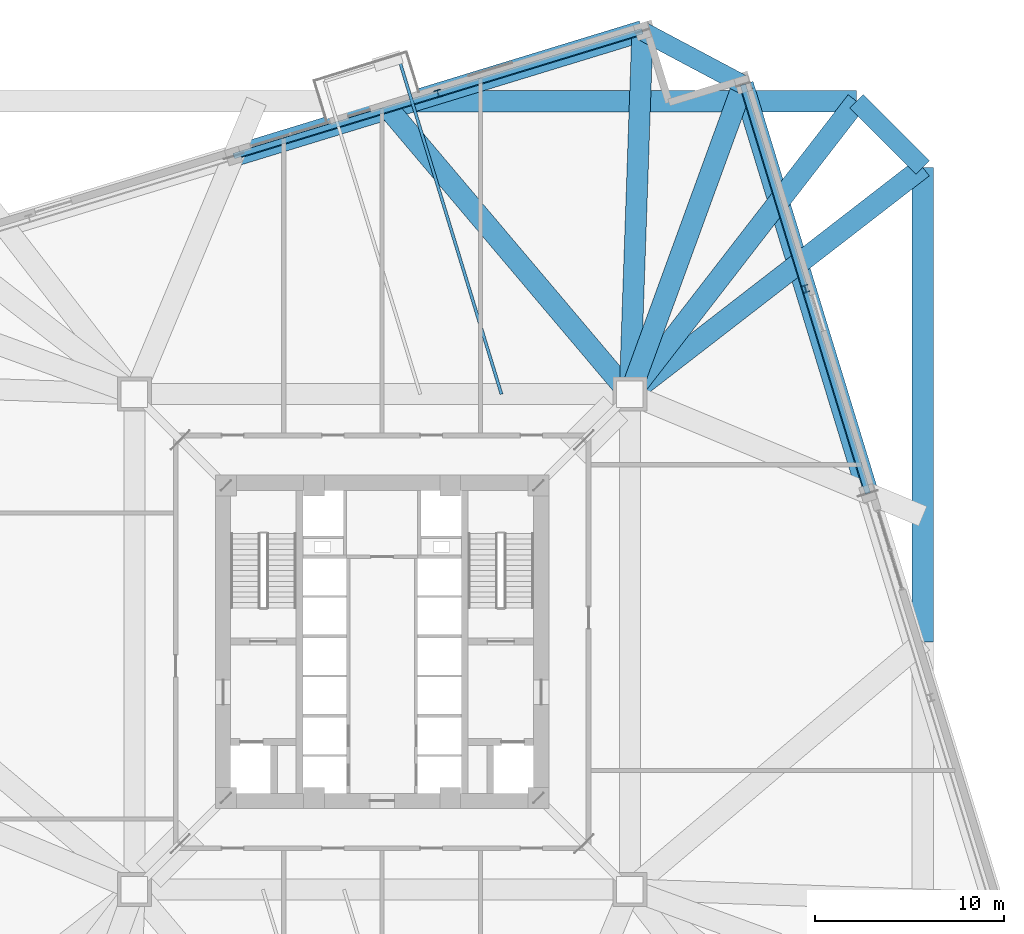
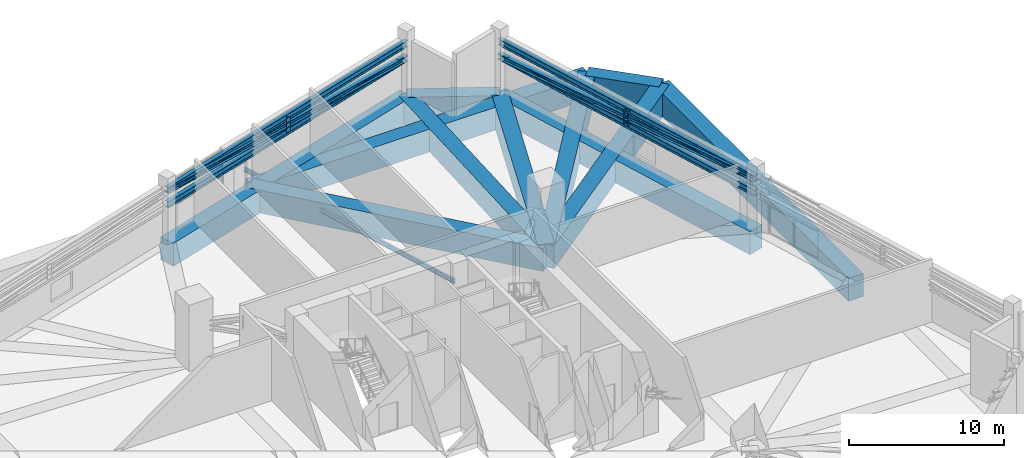
# One storey, part 11 of 22: 12 beams, 8 members.
"""IFC4 building model written with IfcOpenShell, lengths in metres."""

import ifcopenshell
import ifcopenshell.guid

model = None  # the IFC model being written
_history = None  # IfcOwnerHistory: only IFC2X3 demands one
_inside = {}  # id of a spatial element -> (the spatial element, [elements in it])
_under = {}  # id of a project, library or spatial element -> (it, [spatial elements below it])
_declared = {}  # id of a project -> (the project, [libraries it declares])
_typed = {}  # id of a type object -> (the type object, [elements of that type])
_made_of = {}  # id of a material, layer set ... -> (it, [elements and type objects made of it])


def new_model(schema):
    """Start an empty IFC model of exactly this schema.

    Asked for "IFC4X3", IfcOpenShell would pick the latest addendum, in which some entities
    have other attributes; the version numbers below select the first issue.
    IFC2X3 requires an IfcOwnerHistory on every rooted entity: one is made here for all.
    """
    global model, _history
    if schema == "IFC4X3":
        model = ifcopenshell.file(schema_version=(4, 3, 0, 0))
    else:
        model = ifcopenshell.file(schema=schema)
    _inside.clear()
    _under.clear()
    _declared.clear()
    _typed.clear()
    _made_of.clear()
    _history = None
    if model.schema == "IFC2X3":
        org = make("IfcOrganization", Name="unknown")
        user = make(
            "IfcPersonAndOrganization",
            ThePerson=make("IfcPerson", FamilyName="unknown"),
            TheOrganization=org,
        )
        app = make(
            "IfcApplication",
            ApplicationDeveloper=org,
            Version="unknown",
            ApplicationFullName="unknown",
            ApplicationIdentifier="unknown",
        )
        _history = make(
            "IfcOwnerHistory",
            OwningUser=user,
            OwningApplication=app,
            ChangeAction="ADDED",
            CreationDate=0,
        )
    return model


def make(cls, **values):
    """One entity of the class cls with the attributes given. An attribute that is None is left unset."""
    return model.create_entity(
        cls, **{name: value for name, value in values.items() if value is not None}
    )


def rooted(cls, **values):
    """An entity with a GlobalId (a new one), such as an element, a storey or a relation."""
    return make(cls, GlobalId=ifcopenshell.guid.new(), OwnerHistory=_history, **values)


def si_unit(unit_type, name, prefix=None):
    """IfcSIUnit, for example si_unit("LENGTHUNIT", "METRE", prefix="MILLI")."""
    return make("IfcSIUnit", UnitType=unit_type, Prefix=prefix, Name=name)


def assignment(units):
    """IfcUnitAssignment: the units of a project."""
    return None if units is None else make("IfcUnitAssignment", Units=units)


def point(xyz):
    """IfcCartesianPoint."""
    return None if xyz is None else make("IfcCartesianPoint", Coordinates=xyz)


def direction(xyz):
    """IfcDirection."""
    return None if xyz is None else make("IfcDirection", DirectionRatios=xyz)


def frame(location, z_axis=None, x_axis=None):
    """IfcAxis2Placement3D, a coordinate frame: its origin and axes. An axis left out is left unset."""
    return make(
        "IfcAxis2Placement3D",
        Location=point(location),
        Axis=direction(z_axis),
        RefDirection=direction(x_axis),
    )


def frame_2d(location, x_axis=None):
    """IfcAxis2Placement2D, a coordinate frame in the plane: its origin and x axis."""
    return make(
        "IfcAxis2Placement2D", Location=point(location), RefDirection=direction(x_axis)
    )


def origin():
    """The frame at (0, 0, 0) with its axes left unset."""
    return frame((0.0, 0.0, 0.0))


def origin_2d():
    """The frame at (0, 0) in the plane with its x axis left unset."""
    return frame_2d((0.0, 0.0))


def place(relative_to, where):
    """IfcLocalPlacement: puts the frame where relative to a parent placement (None: the world)."""
    return make(
        "IfcLocalPlacement", PlacementRelTo=relative_to, RelativePlacement=where
    )


def context(
    kind, dimensions, precision=None, world=None, true_north=None, identifier=None
):
    """IfcGeometricRepresentationContext, for example the 3D "Model" context."""
    return make(
        "IfcGeometricRepresentationContext",
        ContextIdentifier=identifier,
        ContextType=kind,
        CoordinateSpaceDimension=dimensions,
        Precision=precision,
        WorldCoordinateSystem=world,
        TrueNorth=true_north,
    )


def subcontext(parent, identifier, kind, view, scale=None):
    """IfcGeometricRepresentationSubContext, for example "Body" below "Model"."""
    return make(
        "IfcGeometricRepresentationSubContext",
        ContextIdentifier=identifier,
        ContextType=kind,
        ParentContext=parent,
        TargetScale=scale,
        TargetView=view,
    )


def project(units=None, contexts=None):
    """IfcProject with its units and contexts."""
    return rooted(
        "IfcProject",
        Name="project",
        RepresentationContexts=contexts,
        UnitsInContext=assignment(units),
    )


def spatial(cls, under=None, at=None, **own):
    """A site, building, storey or space (cls), placed at a placement, below another one or the project."""
    s = rooted(cls, ObjectPlacement=at, **own)
    if under is not None:
        _under.setdefault(under.id(), (under, []))[1].append(s)
    return s


def profile(cls, at=None, kind="AREA", **sizes):
    """A parametric profile (cls). Its sizes go by their IFC names, for example OverallWidth=200.0."""
    return make(cls, ProfileType=kind, Position=at, **sizes)


def rectangle(**sizes):
    """IfcRectangleProfileDef."""
    return profile("IfcRectangleProfileDef", **sizes)


def i_section(**sizes):
    """IfcIShapeProfileDef."""
    return profile("IfcIShapeProfileDef", **sizes)


def extrude(swept, where, along, depth):
    """IfcExtrudedAreaSolid: the profile swept, set in the frame where, extruded along a direction by depth."""
    return make(
        "IfcExtrudedAreaSolid",
        SweptArea=swept,
        Position=where,
        ExtrudedDirection=direction(along),
        Depth=depth,
    )


def shape(context_of_items, identifier, shape_type, items):
    """IfcShapeRepresentation: the items that make up one representation, for example the "Body"."""
    return make(
        "IfcShapeRepresentation",
        ContextOfItems=context_of_items,
        RepresentationIdentifier=identifier,
        RepresentationType=shape_type,
        Items=items,
    )


def source(mapping_origin, context_of_items, identifier, shape_type, items):
    """IfcRepresentationMap: a shape defined once, which mapped items show again and again."""
    return make(
        "IfcRepresentationMap",
        MappingOrigin=mapping_origin,
        MappedRepresentation=shape(context_of_items, identifier, shape_type, items),
    )


def transform(
    local_origin,
    x_axis=None,
    y_axis=None,
    z_axis=None,
    scale=None,
    scale2=None,
    scale3=None,
    uniform=True,
):
    """IfcCartesianTransformationOperator3D, or its non-uniform kind. x_axis, y_axis, z_axis: its Axis1, 2, 3."""
    if uniform:
        return make(
            "IfcCartesianTransformationOperator3D",
            Axis1=direction(x_axis),
            Axis2=direction(y_axis),
            LocalOrigin=point(local_origin),
            Scale=scale,
            Axis3=direction(z_axis),
        )
    return make(
        "IfcCartesianTransformationOperator3DnonUniform",
        Axis1=direction(x_axis),
        Axis2=direction(y_axis),
        LocalOrigin=point(local_origin),
        Scale=scale,
        Axis3=direction(z_axis),
        Scale2=scale2,
        Scale3=scale3,
    )


def mapped(mapping_source, mapping_target):
    """IfcMappedItem: shows the shape of a source again, moved by a transform."""
    return make(
        "IfcMappedItem", MappingSource=mapping_source, MappingTarget=mapping_target
    )


def material(Name=None, Category=None):
    """IfcMaterial."""
    return make("IfcMaterial", Name=Name, Category=Category)


def material_profile(
    of_material, cross_section, Name=None, Category=None, Priority=None
):
    """IfcMaterialProfile: a cross section and its material."""
    return make(
        "IfcMaterialProfile",
        Name=Name,
        Material=of_material,
        Profile=cross_section,
        Priority=Priority,
        Category=Category,
    )


def profile_set(profiles, Name=None, composite=None):
    """IfcMaterialProfileSet."""
    return make(
        "IfcMaterialProfileSet",
        Name=Name,
        MaterialProfiles=profiles,
        CompositeProfile=composite,
    )


def made_of(thing, what):
    """Note that an element or type object is made of a material, layer set ...; save() writes the relation."""
    if what is not None:
        _made_of.setdefault(what.id(), (what, []))[1].append(thing)
    return thing


def type_object(cls, material=None, **own):
    """A type object (cls), such as IfcWallType, which elements share."""
    return made_of(rooted(cls, **own), material)


def element(
    cls,
    number,
    at=None,
    inside=None,
    cuts=None,
    type_object=None,
    material=None,
    context=None,
    identifier="Body",
    shape_type=None,
    held_by="IfcProductDefinitionShape",
    body=None,
    shapes=None,
    **own,
):
    """One element of the class cls, such as IfcWall. Its Tag is "e" and its number.

    at: its placement. inside: the storey or other place that contains it. cuts: it is an
    opening in that element (IfcRelVoidsElement). A single representation is given by context,
    identifier, shape_type and body (its items); several are given by shapes. held_by: the class
    of the entity that holds the representations. save() writes the other relations.
    """
    e = rooted(cls, Tag="e%d" % number, ObjectPlacement=at, **own)
    if body is not None:
        shapes = [shape(context, identifier, shape_type, body)]
    if shapes is not None:
        e.Representation = make(held_by, Representations=shapes)
    if inside is not None:
        _inside.setdefault(inside.id(), (inside, []))[1].append(e)
    if cuts is not None:
        rooted(
            "IfcRelVoidsElement", RelatingBuildingElement=cuts, RelatedOpeningElement=e
        )
    if type_object is not None:
        _typed.setdefault(type_object.id(), (type_object, []))[1].append(e)
    return made_of(e, material)


def aggregate(whole, parts):
    """IfcRelAggregates: a whole, such as a stair, and the parts it consists of."""
    return rooted("IfcRelAggregates", RelatingObject=whole, RelatedObjects=parts)


def save(model, path):
    """Write the relations noted so far, then the file.

    IfcRelAggregates (storeys below a building ...), IfcRelContainedInSpatialStructure (elements
    in a storey), IfcRelDefinesByType, IfcRelAssociatesMaterial and IfcRelDeclares: one each for
    every whole, place, type object, material and project.
    """
    for whole, parts in _under.values():
        aggregate(whole, parts)
    for where, things in _inside.values():
        rooted(
            "IfcRelContainedInSpatialStructure",
            RelatedElements=things,
            RelatingStructure=where,
        )
    for kind, things in _typed.values():
        rooted("IfcRelDefinesByType", RelatedObjects=things, RelatingType=kind)
    for what, things in _made_of.values():
        rooted("IfcRelAssociatesMaterial", RelatedObjects=things, RelatingMaterial=what)
    for by, libraries in _declared.values():
        rooted("IfcRelDeclares", RelatingContext=by, RelatedDefinitions=libraries)
    model.write(path)


model = new_model("IFC4")

# Units and contexts
model_context = context("Model", 3, precision=1e-05, world=origin(), true_north=direction((0.0, 1.0)))
body_context = subcontext(model_context, "Body", "Model", "MODEL_VIEW")
ifc_project = project(units=[si_unit("LENGTHUNIT", "METRE"), si_unit("AREAUNIT", "SQUARE_METRE"), si_unit("VOLUMEUNIT", "CUBIC_METRE"), si_unit("PLANEANGLEUNIT", "RADIAN"), si_unit("MASSUNIT", "GRAM", prefix="KILO"), si_unit("THERMODYNAMICTEMPERATUREUNIT", "KELVIN")], contexts=[model_context])

# Site, building, storey
site_placement = place(None, origin())
site = spatial("IfcSite", under=ifc_project, at=site_placement, CompositionType="ELEMENT")
building_placement = place(site_placement, origin())
building = spatial("IfcBuilding", under=site, at=building_placement, Name="Kosmvard Interchange Tower", CompositionType="ELEMENT")
storey_placement = place(building_placement, frame((0.0, 0.0, 78.0)))
storey = spatial("IfcBuildingStorey", under=building, at=storey_placement, Name="L18", CompositionType="ELEMENT", Elevation=78.0)

# Beams
ifc_material_1 = material(Name="Concrete C60/75", Category="concrete")
ifc_material_profile_1 = material_profile(ifc_material_1, rectangle(XDim=1.1201171875, YDim=1.800048828125, at=origin_2d()), Name="TG 1120x1800")
ifc_profile_set_1 = profile_set([ifc_material_profile_1], Name="Concrete C60/75")
beam_type_1 = type_object("IfcBeamType", Name="Zone Long-Span Transfer Girder 1120x1800 C60/75", PredefinedType="USERDEFINED", material=ifc_profile_set_1)
shared_shape_1 = source(origin(), body_context, "Body", "SweptSolid", [
    extrude(rectangle(XDim=1.1201171875, YDim=1.800048828125, at=origin_2d()), origin(), (0.0, 0.0, 1.0), 25.050048828125),
])
for number, where, z_axis, x_axis, name in (
    (1, (28.550048828125, 0.0, -0.89990234375), (0.0, 1.0, 0.0), (-1.0, 0.0, 0.0), "BM-L18-LR05"),
    (2, (25.050048828125, 28.550048828125, -0.89990234375), (-1.0, 0.0, 0.0), (0.0, -1.0, 0.0), "BM-L18-LR07"),
):
    element("IfcBeam", number, at=place(storey_placement, frame(where, z_axis=z_axis, x_axis=x_axis)), inside=storey, type_object=beam_type_1, Name=name, ObjectType="TRANSFER_GIRDER", PredefinedType="USERDEFINED", context=body_context, shape_type="MappedRepresentation", body=[
        mapped(shared_shape_1, transform((0.0, 0.0, 0.0), scale=1.0)),
    ])
shared_shape_2 = source(origin(), body_context, "Body", "SweptSolid", [
    extrude(rectangle(XDim=1.1201171875, YDim=1.800048828125, at=origin_2d()), origin(), (0.0, 0.0, 1.0), 19.558837890625),
])
for number, where, z_axis, x_axis, name in (
    (3, (13.0810546875, 13.0810546875, -0.89990234375), (0.79089695138, 0.611949354357, 0.0), (-0.611949354357, 0.79089695138, 0.0), "BM-L18-LD06"),
    (4, (13.0810546875, 13.0810546875, -0.89990234375), (0.611949354357, 0.79089695138, 0.0), (-0.79089695138, 0.611949354357, 0.0), "BM-L18-LD07"),
):
    element("IfcBeam", number, at=place(storey_placement, frame(where, z_axis=z_axis, x_axis=x_axis)), inside=storey, type_object=beam_type_1, Name=name, ObjectType="TRANSFER_GIRDER", PredefinedType="USERDEFINED", context=body_context, shape_type="MappedRepresentation", body=[
        mapped(shared_shape_2, transform((0.0, 0.0, 0.0), scale=1.0)),
    ])
shared_shape_3 = source(origin(), body_context, "Body", "SweptSolid", [
    extrude(rectangle(XDim=1.1201171875, YDim=1.800048828125, at=origin_2d()), origin(), (0.0, 0.0, 1.0), 20.258544921875),
])
beam_1_placement = place(storey_placement, frame((13.0810546875, 13.0810546875, -0.89990234375), z_axis=(-0.645709371734, 0.763583268056, 0.0), x_axis=(-0.763583268056, -0.645709371734, 0.0)))
element("IfcBeam", 5, at=beam_1_placement, inside=storey, type_object=beam_type_1, Name="BM-L18-LD08", ObjectType="TRANSFER_GIRDER", PredefinedType="USERDEFINED", context=body_context, shape_type="MappedRepresentation", body=[
    mapped(shared_shape_3, transform((0.0, 0.0, 0.0), scale=1.0)),
])
ifc_material_profile_2 = material_profile(ifc_material_1, rectangle(XDim=1.0, YDim=1.800048828125, at=origin_2d()), Name="TG 1000x1800")
ifc_profile_set_2 = profile_set([ifc_material_profile_2], Name="Concrete C60/75")
beam_type_2 = type_object("IfcBeamType", Name="Zone Transfer Ring Girder 1000x1800 C60/75", PredefinedType="USERDEFINED", material=ifc_profile_set_2)
shared_shape_4 = source(origin(), body_context, "Body", "SweptSolid", [
    extrude(rectangle(XDim=1.0, YDim=1.800048828125, at=origin_2d()), origin(), (0.0, 0.0, 1.0), 4.94970703125),
])
beam_2_placement = place(storey_placement, frame((28.550048828125, 25.050048828125, -0.89990234375), z_axis=(-0.707106781187, 0.707106781187, 0.0), x_axis=(-0.707106781187, -0.707106781187, 0.0)))
element("IfcBeam", 6, at=beam_2_placement, inside=storey, type_object=beam_type_2, Name="BM-L18-LR06", ObjectType="TRANSFER_GIRDER", PredefinedType="USERDEFINED", context=body_context, shape_type="MappedRepresentation", body=[
    mapped(shared_shape_4, transform((0.0, 0.0, 0.0), scale=1.0)),
])
shared_shape_5 = source(origin(), body_context, "Body", "SweptSolid", [
    extrude(rectangle(XDim=1.1201171875, YDim=1.800048828125, at=origin_2d()), origin(), (0.0, 0.0, 1.0), 19.18359375),
])
beam_3_placement = place(storey_placement, frame((13.0810546875, 13.0810546875, -0.89990234375), z_axis=(0.034641549738, 0.999399801397, 0.0), x_axis=(-0.999399801397, 0.034641549738, 0.0)))
element("IfcBeam", 7, at=beam_3_placement, inside=storey, type_object=beam_type_1, Name="BM-L18-RD07", ObjectType="TRANSFER_GIRDER", PredefinedType="USERDEFINED", context=body_context, shape_type="MappedRepresentation", body=[
    mapped(shared_shape_5, transform((0.0, 0.0, 0.0), scale=1.0)),
])
shared_shape_6 = source(origin(), body_context, "Body", "SweptSolid", [
    extrude(rectangle(XDim=1.1201171875, YDim=1.800048828125, at=origin_2d()), origin(), (0.0, 0.0, 1.0), 22.57470703125),
])
beam_4_placement = place(storey_placement, frame((13.74560546875, 32.253173828125, -0.89990234375), z_axis=(-0.956303368768, -0.292376241995, 0.0), x_axis=(0.292376241995, -0.956303368768, 0.0)))
element("IfcBeam", 8, at=beam_4_placement, inside=storey, type_object=beam_type_1, Name="BM-L18-PR07", ObjectType="TRANSFER_GIRDER", PredefinedType="USERDEFINED", context=body_context, shape_type="MappedRepresentation", body=[
    mapped(shared_shape_6, transform((0.0, 0.0, 0.0), scale=1.0)),
])
shared_shape_7 = source(origin(), body_context, "Body", "SweptSolid", [
    extrude(rectangle(XDim=1.1201171875, YDim=1.800048828125, at=origin_2d()), origin(), (0.0, 0.0, 1.0), 22.574951171875),
])
beam_5_placement = place(storey_placement, frame((25.65283203125, 7.8427734375, -0.89990234375), z_axis=(-0.292373218222, 0.956304293239, 0.0), x_axis=(-0.956304293239, -0.292373218222, 0.0)))
element("IfcBeam", 9, at=beam_5_placement, inside=storey, type_object=beam_type_1, Name="BM-L18-PR05", ObjectType="TRANSFER_GIRDER", PredefinedType="USERDEFINED", context=body_context, shape_type="MappedRepresentation", body=[
    mapped(shared_shape_7, transform((0.0, 0.0, 0.0), scale=1.0)),
])
shared_shape_8 = source(origin(), body_context, "Body", "SweptSolid", [
    extrude(rectangle(XDim=1.1201171875, YDim=1.800048828125, at=origin_2d()), origin(), (0.0, 0.0, 1.0), 17.40673828125),
])
beam_6_placement = place(storey_placement, frame((13.0810546875, 13.0810546875, -0.89990234375), z_axis=(0.343054696491, 0.939315429031, 0.0), x_axis=(-0.939315429031, 0.343054696491, 0.0)))
element("IfcBeam", 10, at=beam_6_placement, inside=storey, type_object=beam_type_1, Name="BM-L18-RD06", ObjectType="TRANSFER_GIRDER", PredefinedType="USERDEFINED", context=body_context, shape_type="MappedRepresentation", body=[
    mapped(shared_shape_8, transform((0.0, 0.0, 0.0), scale=1.0)),
])
shared_shape_9 = source(origin(), body_context, "Body", "SweptSolid", [
    extrude(rectangle(XDim=1.0, YDim=1.800048828125, at=origin_2d()), origin(), (0.0, 0.0, 1.0), 6.010498046875),
])
beam_7_placement = place(storey_placement, frame((19.052490234375, 29.431396484375, -0.89990234375), z_axis=(-0.882943685114, 0.469478912111, 0.0), x_axis=(-0.469478912111, -0.882943685114, 0.0)))
element("IfcBeam", 11, at=beam_7_placement, inside=storey, type_object=beam_type_2, Name="BM-L18-PR06", ObjectType="TRANSFER_GIRDER", PredefinedType="USERDEFINED", context=body_context, shape_type="MappedRepresentation", body=[
    mapped(shared_shape_9, transform((0.0, 0.0, 0.0), scale=1.0)),
])
ifc_material_2 = material(Name="Steel S355", Category="steel")
ifc_material_profile_3 = material_profile(ifc_material_2, i_section(OverallWidth=0.159912109375, OverallDepth=0.330078125, WebThickness=0.007568359375, FlangeThickness=0.011474609375, FilletRadius=0.01806640625, at=origin_2d()), Name="IPE 330")
ifc_profile_set_3 = profile_set([ifc_material_profile_3], Name="Steel S355")
beam_type_3 = type_object("IfcBeamType", Name="Balcony Cantilever Joist IPE 330 S355", PredefinedType="JOIST", material=ifc_profile_set_3)
shared_shape_10 = source(origin(), body_context, "Body", "SweptSolid", [
    extrude(i_section(OverallWidth=0.159912109375, OverallDepth=0.330078125, WebThickness=0.007568359375, FlangeThickness=0.011474609375, FilletRadius=0.01806640625, at=origin_2d()), origin(), (0.0, 0.0, 1.0), 18.53271484375),
])
beam_8_placement = place(storey_placement, frame((6.30078125, 13.0810546875, -0.56494140625), z_axis=(-0.292372820806, 0.956304414741, 0.0), x_axis=(-0.956304414741, -0.292372820806, 0.0)))
element("IfcBeam", 12, at=beam_8_placement, inside=storey, type_object=beam_type_3, Name="BM-L18-BJ1", PredefinedType="JOIST", context=body_context, shape_type="MappedRepresentation", body=[
    mapped(shared_shape_10, transform((0.0, 0.0, 0.0), scale=1.0)),
])

# Members
ifc_material_3 = material(Name="Steel S460", Category="steel")
ifc_material_profile_4 = material_profile(ifc_material_3, i_section(OverallWidth=0.300048828125, OverallDepth=0.5, WebThickness=0.014404296875, FlangeThickness=0.028076171875, FilletRadius=0.027099609375, at=origin_2d()), Name="HEB 500")
ifc_profile_set_4 = profile_set([ifc_material_profile_4], Name="Steel S460")
member_type_1 = type_object("IfcMemberType", Name="Belt Truss Chord HEB 500 S460", PredefinedType="CHORD", material=ifc_profile_set_4)
shared_shape_11 = source(origin(), body_context, "Body", "SweptSolid", [
    extrude(i_section(OverallWidth=0.300048828125, OverallDepth=0.5, WebThickness=0.014404296875, FlangeThickness=0.028076171875, FilletRadius=0.027099609375, at=origin_2d()), origin(), (0.0, 0.0, 1.0), 22.57470703125),
])
for number, where, z_axis, x_axis, name in (
    (13, (13.74560546875, 32.253173828125, 2.820068359375), (-0.956303368768, -0.292376241995, 0.0), (0.292376241995, -0.956303368768, 0.0), "L18 Belt Truss Bottom Chord N1"),
    (14, (13.74560546875, 32.253173828125, 3.9599609375), (-0.956303368768, -0.292376241995, 0.0), (0.292376241995, -0.956303368768, 0.0), "L18 Belt Truss Top Chord N1"),
):
    element("IfcMember", number, at=place(storey_placement, frame(where, z_axis=z_axis, x_axis=x_axis)), inside=storey, type_object=member_type_1, Name=name, PredefinedType="CHORD", context=body_context, shape_type="MappedRepresentation", body=[
        mapped(shared_shape_11, transform((0.0, 0.0, 0.0), scale=1.0)),
    ])
shared_shape_12 = source(origin(), body_context, "Body", "SweptSolid", [
    extrude(i_section(OverallWidth=0.300048828125, OverallDepth=0.5, WebThickness=0.014404296875, FlangeThickness=0.028076171875, FilletRadius=0.027099609375, at=origin_2d()), origin(), (0.0, 0.0, 1.0), 22.574951171875),
])
for number, where, z_axis, x_axis, name in (
    (15, (25.65283203125, 7.8427734375, 2.820068359375), (-0.292373218222, 0.956304293239, 0.0), (-0.956304293239, -0.292373218222, 0.0), "L18 Belt Truss Bottom Chord E2"),
    (16, (25.65283203125, 7.8427734375, 3.9599609375), (-0.292373218222, 0.956304293239, 0.0), (-0.956304293239, -0.292373218222, 0.0), "L18 Belt Truss Top Chord E2"),
):
    element("IfcMember", number, at=place(storey_placement, frame(where, z_axis=z_axis, x_axis=x_axis)), inside=storey, type_object=member_type_1, Name=name, PredefinedType="CHORD", context=body_context, shape_type="MappedRepresentation", body=[
        mapped(shared_shape_12, transform((0.0, 0.0, 0.0), scale=1.0)),
    ])
ifc_material_profile_5 = material_profile(ifc_material_3, i_section(OverallWidth=0.3759765625, OverallDepth=0.386962890625, WebThickness=0.01953125, FlangeThickness=0.031982421875, FilletRadius=0.014892578125, at=origin_2d()), Name="HD 360x329")
ifc_profile_set_5 = profile_set([ifc_material_profile_5], Name="Steel S460")
member_type_2 = type_object("IfcMemberType", Name="Belt Truss Vertical Post HD 360x329 S460", PredefinedType="STUD", material=ifc_profile_set_5)
shared_shape_13 = source(origin(), body_context, "Body", "SweptSolid", [
    extrude(i_section(OverallWidth=0.3759765625, OverallDepth=0.386962890625, WebThickness=0.01953125, FlangeThickness=0.031982421875, FilletRadius=0.014892578125, at=origin_2d()), origin(), (0.0, 0.0, 1.0), 1.139892578125),
])
for number, where, z_axis, x_axis, name in (
    (17, (22.352783203125, 18.63720703125, 2.820068359375), (0.0, 0.0, 1.0), (0.956304755963, 0.292371704723, 0.0), "L18 Belt Truss Post E2"),
    (18, (2.951416015625, 28.953125, 2.820068359375), (0.0, 0.0, 1.0), (0.956304755963, 0.292371704723, 0.0), "L18 Belt Truss Post N1"),
):
    element("IfcMember", number, at=place(storey_placement, frame(where, z_axis=z_axis, x_axis=x_axis)), inside=storey, type_object=member_type_2, Name=name, PredefinedType="STUD", context=body_context, shape_type="MappedRepresentation", body=[
        mapped(shared_shape_13, transform((0.0, 0.0, 0.0), scale=1.0)),
    ])
ifc_material_profile_6 = material_profile(ifc_material_3, i_section(OverallWidth=0.406005859375, OverallDepth=0.416015625, WebThickness=0.021484375, FlangeThickness=0.034912109375, FilletRadius=0.014892578125, at=origin_2d()), Name="HD 400x382")
ifc_profile_set_6 = profile_set([ifc_material_profile_6], Name="Steel S460")
member_type_3 = type_object("IfcMemberType", Name="Perimeter Belt Truss Diagonal HD 400x382 S460", PredefinedType="BRACE", material=ifc_profile_set_6)
shared_shape_14 = source(origin(), body_context, "Body", "SweptSolid", [
    extrude(i_section(OverallWidth=0.406005859375, OverallDepth=0.416015625, WebThickness=0.021484375, FlangeThickness=0.034912109375, FilletRadius=0.014892578125, at=origin_2d()), origin(), (0.0, 0.0, 1.0), 22.603515625),
])
member_1_placement = place(storey_placement, frame((13.74560546875, 32.253173828125, 2.820068359375), z_axis=(-0.955086579567, -0.29200422589, 0.050429729265), x_axis=(0.292376241995, -0.956303368768, 0.0)))
element("IfcMember", 19, at=member_1_placement, inside=storey, type_object=member_type_3, Name="L18 Belt Truss Diagonal N1", PredefinedType="BRACE", context=body_context, shape_type="MappedRepresentation", body=[
    mapped(shared_shape_14, transform((0.0, 0.0, 0.0), scale=1.0)),
])
shared_shape_15 = source(origin(), body_context, "Body", "SweptSolid", [
    extrude(i_section(OverallWidth=0.406005859375, OverallDepth=0.416015625, WebThickness=0.021484375, FlangeThickness=0.034912109375, FilletRadius=0.014892578125, at=origin_2d()), origin(), (0.0, 0.0, 1.0), 22.603759765625),
])
member_2_placement = place(storey_placement, frame((19.052490234375, 29.431396484375, 2.820068359375), z_axis=(0.292001213645, -0.955087527981, 0.050429209044), x_axis=(0.956304293239, 0.292373218222, 0.0)))
element("IfcMember", 20, at=member_2_placement, inside=storey, type_object=member_type_3, Name="L18 Belt Truss Diagonal E2", PredefinedType="BRACE", context=body_context, shape_type="MappedRepresentation", body=[
    mapped(shared_shape_15, transform((0.0, 0.0, 0.0), scale=1.0)),
])

save(model, "model.ifc")
